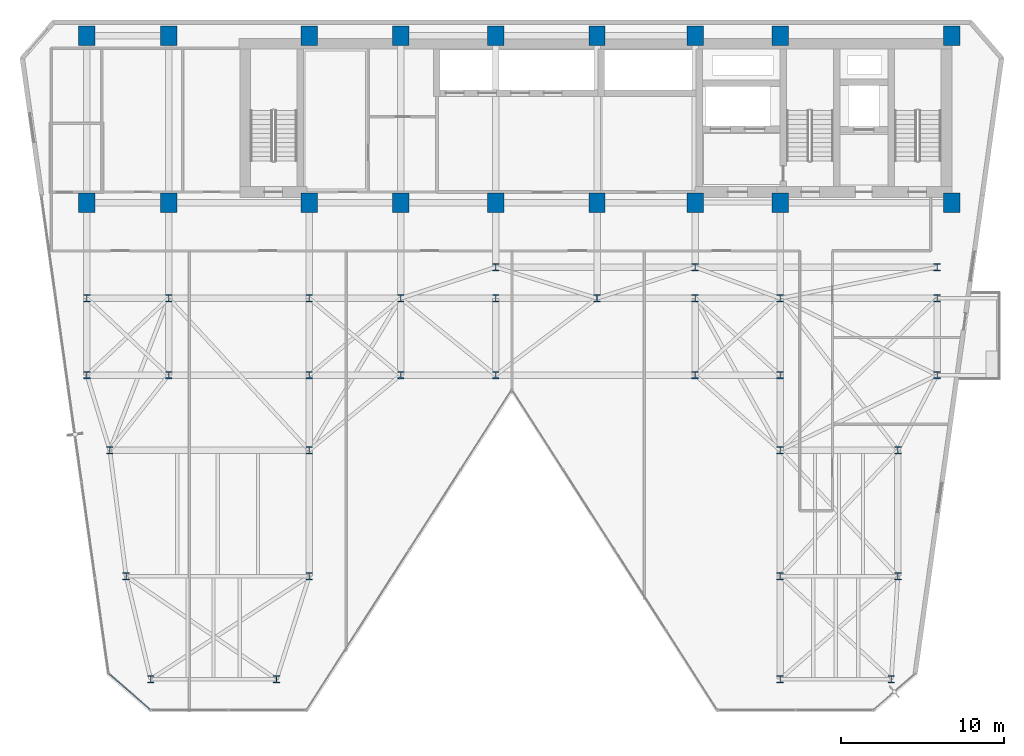
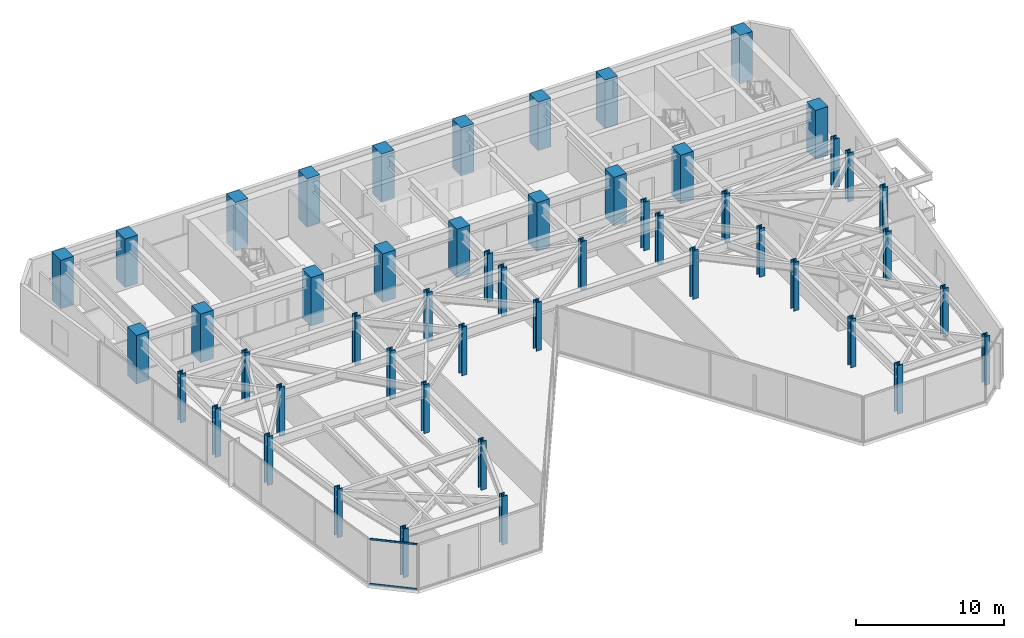
# One storey, part 1 of 26: 50 columns, 2 members, 1 element without a shape of its own.
"""IFC4 building model written with IfcOpenShell, lengths in metres."""

from ifc_helpers import new_model, si_unit, direction, frame, origin, origin_2d, place, context, subcontext, project, spatial, rectangle, hollow_rectangle, i_section, extrude, material, layer, layer_set, material_profile, profile_set, type_object, element, aggregate, save


model = new_model("IFC4")

# Units and contexts
model_context = context("Model", 3, precision=1e-05, world=origin(), true_north=direction((0.0, 1.0)))
body_context = subcontext(model_context, "Body", "Model", "MODEL_VIEW")
ifc_project = project(units=[si_unit("LENGTHUNIT", "METRE"), si_unit("AREAUNIT", "SQUARE_METRE"), si_unit("VOLUMEUNIT", "CUBIC_METRE"), si_unit("PLANEANGLEUNIT", "RADIAN"), si_unit("MASSUNIT", "GRAM", prefix="KILO")], contexts=[model_context])

# Site, building, storey
site_placement = place(None, origin())
site = spatial("IfcSite", under=ifc_project, at=site_placement, CompositionType="ELEMENT")
building_placement = place(site_placement, origin())
building = spatial("IfcBuilding", under=site, at=building_placement, Name="Kravanh Interchange Tower", CompositionType="ELEMENT")
storey_placement = place(building_placement, frame((0.0, 0.0, 132.0)))
storey = spatial("IfcBuildingStorey", under=building, at=storey_placement, Name="L31", CompositionType="ELEMENT", Elevation=132.0)

# Columns
ifc_material_1 = material(Name="Concrete C70/85", Category="concrete")
ifc_material_profile_1 = material_profile(ifc_material_1, rectangle(XDim=1.0, YDim=1.199951171875, at=origin_2d()), Name="RC1000X1200")
ifc_profile_set_1 = profile_set([ifc_material_profile_1], Name="Concrete C70/85")
column_type_1 = type_object("IfcColumnType", Name="Column RC1000X1200 Concrete C70/85", PredefinedType="COLUMN", material=ifc_profile_set_1)
for number, where, z_axis, x_axis, name in (
    (1, (66.5, 47.550048828125, 0.0), (0.0, 0.0, 1.0), (1.0, 0.0, 0.0), "L31 Column CS01"),
    (2, (56.0, 47.550048828125, 0.0), (0.0, 0.0, 1.0), (1.0, 0.0, 0.0), "L31 Column CS02"),
    (3, (66.5, 37.35009765625, 0.0), (0.0, 0.0, 1.0), (1.0, 0.0, 0.0), "L31 Column CS03"),
    (4, (56.0, 37.35009765625, 0.0), (0.0, 0.0, 1.0), (1.0, 0.0, 0.0), "L31 Column CS04"),
    (5, (50.800048828125, 47.550048828125, 0.0), (0.0, 0.0, 1.0), (1.0, 0.0, 0.0), "L31 Column CS05"),
    (6, (50.800048828125, 37.35009765625, 0.0), (0.0, 0.0, 1.0), (1.0, 0.0, 0.0), "L31 Column CS06"),
    (7, (44.800048828125, 37.35009765625, 0.0), (0.0, 0.0, 1.0), (1.0, 0.0, 0.0), "L31 Column CS07"),
    (8, (44.800048828125, 47.550048828125, 0.0), (0.0, 0.0, 1.0), (1.0, 0.0, 0.0), "L31 Column CS08"),
    (9, (38.60009765625, 37.35009765625, 0.0), (0.0, 0.0, 1.0), (1.0, 0.0, 0.0), "L31 Column CS09"),
    (10, (38.60009765625, 47.550048828125, 0.0), (0.0, 0.0, 1.0), (1.0, 0.0, 0.0), "L31 Column CS10"),
    (11, (32.800048828125, 37.35009765625, 0.0), (0.0, 0.0, 1.0), (1.0, 0.0, 0.0), "L31 Column CS11"),
    (12, (32.800048828125, 47.550048828125, 0.0), (0.0, 0.0, 1.0), (1.0, 0.0, 0.0), "L31 Column CS12"),
    (13, (27.199951171875, 37.35009765625, 0.0), (0.0, 0.0, 1.0), (1.0, 0.0, 0.0), "L31 Column CS13"),
    (14, (27.199951171875, 47.550048828125, 0.0), (0.0, 0.0, 1.0), (1.0, 0.0, 0.0), "L31 Column CS14"),
    (15, (18.60009765625, 37.35009765625, 0.0), (0.0, 0.0, 1.0), (1.0, 0.0, 0.0), "L31 Column CS17"),
    (16, (18.60009765625, 47.550048828125, 0.0), (0.0, 0.0, 1.0), (1.0, 0.0, 0.0), "L31 Column CS18"),
    (17, (13.60009765625, 37.35009765625, 0.0), (0.0, 0.0, 1.0), (1.0, 0.0, 0.0), "L31 Column CS19"),
    (18, (13.60009765625, 47.550048828125, 0.0), (0.0, 0.0, 1.0), (1.0, 0.0, 0.0), "L31 Column CS20"),
):
    element("IfcColumn", number, at=place(storey_placement, frame(where, z_axis=z_axis, x_axis=x_axis)), inside=storey, type_object=column_type_1, Name=name, PredefinedType="COLUMN", context=body_context, shape_type="SweptSolid", body=[
        extrude(rectangle(XDim=1.0, YDim=1.199951171875, at=origin_2d()), origin(), (0.0, 0.0, 1.0), 4.0),
    ])
ifc_material_2 = material(Name="Structural Steel S355", Category="steel")
ifc_material_profile_2 = material_profile(ifc_material_2, i_section(OverallWidth=0.416015625, OverallDepth=0.446044921875, WebThickness=0.0390625, FlangeThickness=0.062744140625, FilletRadius=0.030029296875, at=origin_2d()), Name="W14X342")
ifc_profile_set_2 = profile_set([ifc_material_profile_2], Name="Structural Steel S355")
column_type_2 = type_object("IfcColumnType", Name="Column W14X342 Structural Steel S355", PredefinedType="COLUMN", material=ifc_profile_set_2)
for number, where, z_axis, x_axis, name in (
    (19, (17.5, 8.199951171875, 0.0), (0.0, 0.0, 1.0), (1.0, 0.0, 0.0), "L31 Column CZ2_1"),
    (20, (13.60009765625, 26.800048828125, 0.0), (0.0, 0.0, 1.0), (1.0, 0.0, 0.0), "L31 Column CZ2_11"),
    (21, (18.60009765625, 26.800048828125, 0.0), (0.0, 0.0, 1.0), (1.0, 0.0, 0.0), "L31 Column CZ2_12"),
    (22, (27.199951171875, 26.800048828125, 0.0), (0.0, 0.0, 1.0), (1.0, 0.0, 0.0), "L31 Column CZ2_13"),
    (23, (32.800048828125, 26.800048828125, 0.0), (0.0, 0.0, 1.0), (1.0, 0.0, 0.0), "L31 Column CZ2_14"),
    (24, (38.60009765625, 26.800048828125, 0.0), (0.0, 0.0, 1.0), (1.0, 0.0, 0.0), "L31 Column CZ2_14B"),
    (25, (50.800048828125, 26.800048828125, 0.0), (0.0, 0.0, 1.0), (1.0, 0.0, 0.0), "L31 Column CZ2_15"),
    (26, (56.0, 26.800048828125, 0.0), (0.0, 0.0, 1.0), (1.0, 0.0, 0.0), "L31 Column CZ2_16"),
    (27, (65.60009765625, 26.800048828125, 0.0), (0.0, 0.0, 1.0), (1.0, 0.0, 0.0), "L31 Column CZ2_17"),
    (28, (13.60009765625, 31.5, 0.0), (0.0, 0.0, 1.0), (1.0, 0.0, 0.0), "L31 Column CZ2_18"),
    (29, (18.60009765625, 31.5, 0.0), (0.0, 0.0, 1.0), (1.0, 0.0, 0.0), "L31 Column CZ2_18B"),
    (30, (27.199951171875, 31.5, 0.0), (0.0, 0.0, 1.0), (1.0, 0.0, 0.0), "L31 Column CZ2_19"),
    (31, (25.199951171875, 8.199951171875, 0.0), (0.0, 0.0, 1.0), (1.0, 0.0, 0.0), "L31 Column CZ2_2"),
    (32, (32.800048828125, 31.5, 0.0), (0.0, 0.0, 1.0), (1.0, 0.0, 0.0), "L31 Column CZ2_20"),
    (33, (38.60009765625, 31.5, 0.0), (0.0, 0.0, 1.0), (1.0, 0.0, 0.0), "L31 Column CZ2_21"),
    (34, (44.800048828125, 31.5, 0.0), (0.0, 0.0, 1.0), (1.0, 0.0, 0.0), "L31 Column CZ2_22"),
    (35, (50.800048828125, 31.5, 0.0), (0.0, 0.0, 1.0), (1.0, 0.0, 0.0), "L31 Column CZ2_23"),
    (36, (56.0, 31.5, 0.0), (0.0, 0.0, 1.0), (1.0, 0.0, 0.0), "L31 Column CZ2_24"),
    (37, (65.60009765625, 31.5, 0.0), (0.0, 0.0, 1.0), (1.0, 0.0, 0.0), "L31 Column CZ2_25"),
    (38, (56.0, 8.199951171875, 0.0), (0.0, 0.0, 1.0), (1.0, 0.0, 0.0), "L31 Column CZ2_3"),
    (39, (62.800048828125, 8.199951171875, 0.0), (0.0, 0.0, 1.0), (1.0, 0.0, 0.0), "L31 Column CZ2_4"),
    (40, (16.0, 14.5, 0.0), (0.0, 0.0, 1.0), (1.0, 0.0, 0.0), "L31 Column CZ2_5"),
    (41, (27.199951171875, 14.5, 0.0), (0.0, 0.0, 1.0), (1.0, 0.0, 0.0), "L31 Column CZ2_5B"),
    (42, (56.0, 14.5, 0.0), (0.0, 0.0, 1.0), (1.0, 0.0, 0.0), "L31 Column CZ2_5C"),
    (43, (63.199951171875, 14.5, 0.0), (0.0, 0.0, 1.0), (1.0, 0.0, 0.0), "L31 Column CZ2_5D"),
    (44, (15.0, 22.199951171875, 0.0), (0.0, 0.0, 1.0), (1.0, 0.0, 0.0), "L31 Column CZ2_6"),
    (45, (27.199951171875, 22.199951171875, 0.0), (0.0, 0.0, 1.0), (1.0, 0.0, 0.0), "L31 Column CZ2_7"),
    (46, (56.0, 22.199951171875, 0.0), (0.0, 0.0, 1.0), (1.0, 0.0, 0.0), "L31 Column CZ2_8"),
    (47, (63.199951171875, 22.199951171875, 0.0), (0.0, 0.0, 1.0), (1.0, 0.0, 0.0), "L31 Column CZ2_9"),
    (48, (38.60009765625, 33.39990234375, 0.0), (0.0, 0.0, 1.0), (1.0, 0.0, 0.0), "L31 Column CZ2_M1"),
    (49, (50.800048828125, 33.39990234375, 0.0), (0.0, 0.0, 1.0), (1.0, 0.0, 0.0), "L31 Column CZ2_M2"),
    (50, (65.60009765625, 33.39990234375, 0.0), (0.0, 0.0, 1.0), (1.0, 0.0, 0.0), "L31 Column CZ2_M3"),
):
    element("IfcColumn", number, at=place(storey_placement, frame(where, z_axis=z_axis, x_axis=x_axis)), inside=storey, type_object=column_type_2, Name=name, PredefinedType="COLUMN", context=body_context, shape_type="SweptSolid", body=[
        extrude(i_section(OverallWidth=0.416015625, OverallDepth=0.446044921875, WebThickness=0.0390625, FlangeThickness=0.062744140625, FilletRadius=0.030029296875, at=origin_2d()), origin(), (0.0, 0.0, 1.0), 4.0),
    ])

# Curtain wall, members
ifc_material_3 = material(Name="Anodised Bronze Aluminium", Category="aluminium")
ifc_layer = layer(ifc_material_3, 0.179931640625)
ifc_layer_set = layer_set([ifc_layer], Name="Unitised Curtain Wall System CW-Z2 Mid Office")
curtain_wall_type = type_object("IfcCurtainWallType", Name="Unitised Curtain Wall System CW-Z2 Mid Office", PredefinedType="NOTDEFINED", material=ifc_layer_set)
curtain_wall_placement = place(storey_placement, origin())
curtain_wall = element("IfcCurtainWall", 51, at=curtain_wall_placement, inside=storey, type_object=curtain_wall_type, Name="L31 Unitised Curtain Wall CW-L31-07", PredefinedType="NOTDEFINED")
ifc_material_4 = material(Name="Anodised Bronze Aluminium", Category="aluminium")
ifc_material_profile_3 = material_profile(ifc_material_4, hollow_rectangle(XDim=0.06005859375, YDim=0.139892578125, WallThickness=0.00390625, at=origin_2d()), Name="ALU60X140X4")
ifc_profile_set_3 = profile_set([ifc_material_profile_3], Name="Anodised Bronze Aluminium")
member_type = type_object("IfcMemberType", Name="Curtain Wall Transom ALU60X140X4 Bronze", PredefinedType="USERDEFINED", material=ifc_profile_set_3)
member_1_placement = place(storey_placement, frame((17.444580078125, 6.359375, 0.030029296875), z_axis=(-0.754742467432, 0.656021194669, 0.0), x_axis=(-0.656021194669, -0.754742467432, 0.0)))
member_1 = element("IfcMember", 52, at=member_1_placement, type_object=member_type, Name="CW-Z2 transom 1.1", ObjectType="TRANSOM", PredefinedType="USERDEFINED", context=body_context, shape_type="SweptSolid", body=[
    extrude(hollow_rectangle(XDim=0.06005859375, YDim=0.139892578125, WallThickness=0.00390625, at=origin_2d()), origin(), (0.0, 0.0, 1.0), 3.261962890625),
])
member_2_placement = place(storey_placement, frame((17.444580078125, 6.359375, 3.719970703125), z_axis=(-0.754742467432, 0.656021194669, 0.0), x_axis=(-0.656021194669, -0.754742467432, 0.0)))
member_2 = element("IfcMember", 53, at=member_2_placement, type_object=member_type, Name="CW-Z2 transom 1.2", ObjectType="TRANSOM", PredefinedType="USERDEFINED", context=body_context, shape_type="SweptSolid", body=[
    extrude(hollow_rectangle(XDim=0.06005859375, YDim=0.139892578125, WallThickness=0.00390625, at=origin_2d()), origin(), (0.0, 0.0, 1.0), 3.261962890625),
])
aggregate(curtain_wall, [member_1, member_2])

save(model, "model.ifc")
